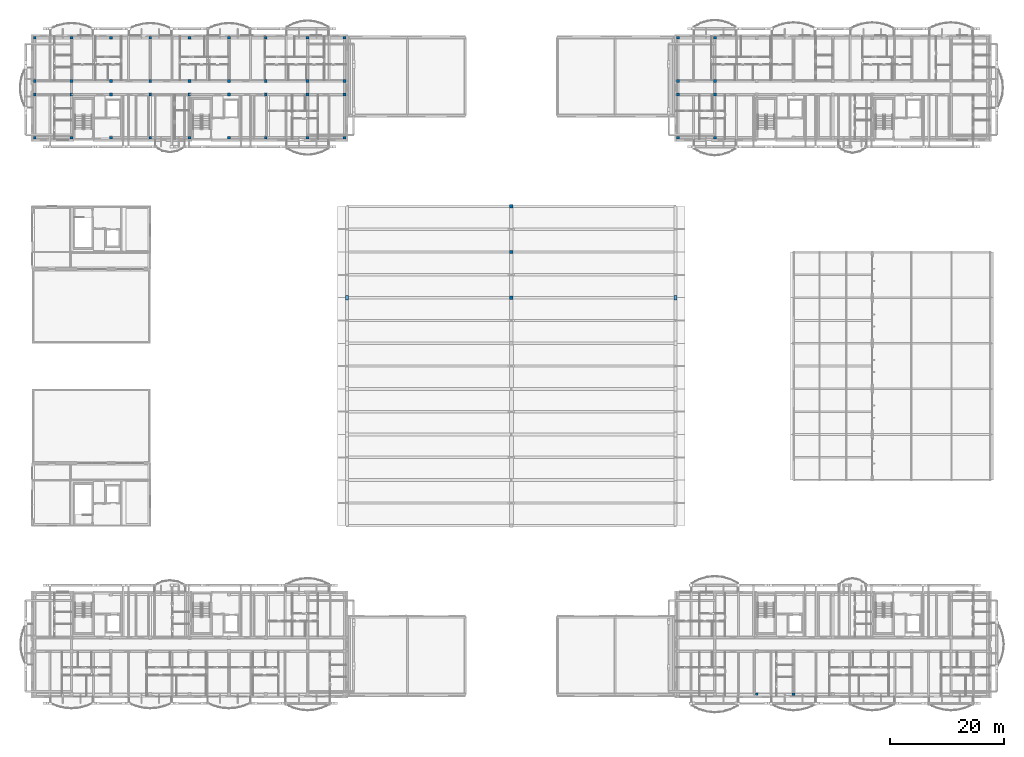
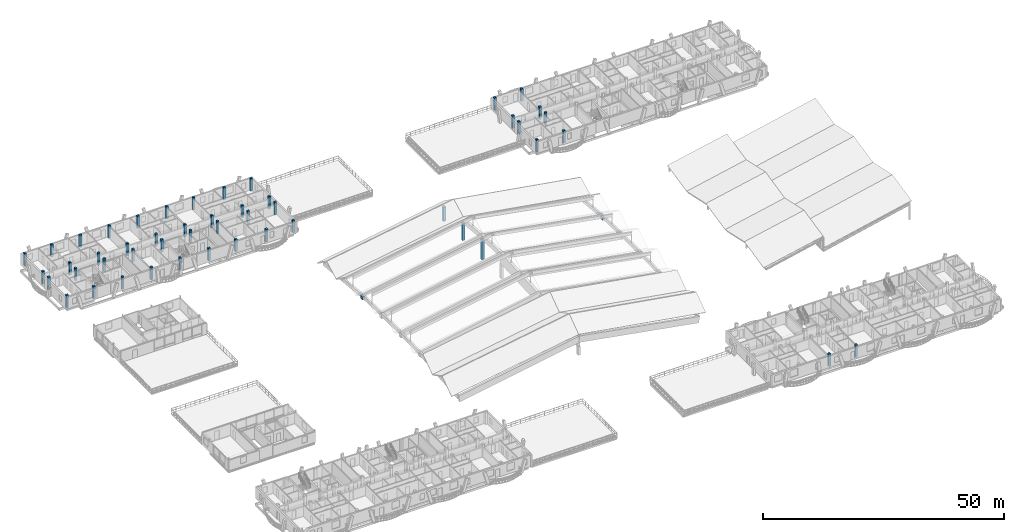
# One storey, part 7 of 109: 51 columns.
"""IFC4 building model written with IfcOpenShell, lengths in metres."""

from ifc_helpers import new_model, si_unit, direction, frame, origin, origin_2d, place, context, subcontext, project, spatial, rectangle, extrude, material, material_profile, profile_set, type_object, element, save


model = new_model("IFC4")

# Units and contexts
model_context = context("Model", 3, precision=1e-05, world=origin(), true_north=direction((0.0, 1.0)))
body_context = subcontext(model_context, "Body", "Model", "MODEL_VIEW")
ifc_project = project(units=[si_unit("LENGTHUNIT", "METRE"), si_unit("AREAUNIT", "SQUARE_METRE"), si_unit("VOLUMEUNIT", "CUBIC_METRE"), si_unit("PLANEANGLEUNIT", "RADIAN"), si_unit("MASSUNIT", "GRAM", prefix="KILO")], contexts=[model_context])

# Site, building, storey
site_placement = place(None, origin())
site = spatial("IfcSite", under=ifc_project, at=site_placement, CompositionType="ELEMENT")
building_placement = place(site_placement, origin())
building = spatial("IfcBuilding", under=site, at=building_placement, Name="Zavelmont Quarter", CompositionType="ELEMENT")
storey_placement = place(building_placement, frame((0.0, 0.0, 8.0)))
storey = spatial("IfcBuildingStorey", under=building, at=storey_placement, Name="L02", CompositionType="ELEMENT", Elevation=8.0)

# Columns
ifc_material = material(Name="Concrete C40/50", Category="concrete")
ifc_material_profile_1 = material_profile(ifc_material, rectangle(XDim=0.60009765625, YDim=0.60009765625, at=origin_2d()), Name="RC600X600")
ifc_profile_set_1 = profile_set([ifc_material_profile_1], Name="Concrete C40/50")
column_type_1 = type_object("IfcColumnType", Name="CL01", PredefinedType="COLUMN", material=ifc_profile_set_1)
column_1_placement = place(storey_placement, frame((84.0, 70.0, 0.0), z_axis=(0.0, 0.0, 1.0), x_axis=(1.0, 0.0, 0.0)))
element("IfcColumn", 1, at=column_1_placement, inside=storey, type_object=column_type_1, Name="L02 column CL01 at 13/L", PredefinedType="COLUMN", context=body_context, shape_type="SweptSolid", body=[
    extrude(rectangle(XDim=0.60009765625, YDim=0.60009765625, at=origin_2d()), origin(), (0.0, 0.0, 1.0), 5.155029296875),
])
column_2_placement = place(storey_placement, frame((84.0, 78.0, 0.0), z_axis=(0.0, 0.0, 1.0), x_axis=(1.0, 0.0, 0.0)))
element("IfcColumn", 2, at=column_2_placement, inside=storey, type_object=column_type_1, Name="L02 column CL01 at 13/M", PredefinedType="COLUMN", context=body_context, shape_type="SweptSolid", body=[
    extrude(rectangle(XDim=0.60009765625, YDim=0.60009765625, at=origin_2d()), origin(), (0.0, 0.0, 1.0), 4.405029296875),
])
column_3_placement = place(storey_placement, frame((84.0, 86.0, 0.0), z_axis=(0.0, 0.0, 1.0), x_axis=(1.0, 0.0, 0.0)))
element("IfcColumn", 3, at=column_3_placement, inside=storey, type_object=column_type_1, Name="L02 column CL01 at 13/N", PredefinedType="COLUMN", context=body_context, shape_type="SweptSolid", body=[
    extrude(rectangle(XDim=0.60009765625, YDim=0.60009765625, at=origin_2d()), origin(), (0.0, 0.0, 1.0), 3.655029296875),
])
ifc_material_profile_2 = material_profile(ifc_material, rectangle(XDim=0.5, YDim=0.5, at=origin_2d()), Name="RC500X500")
ifc_profile_set_2 = profile_set([ifc_material_profile_2], Name="Concrete C40/50")
column_type_2 = type_object("IfcColumnType", Name="CL03", PredefinedType="COLUMN", material=ifc_profile_set_2)
for number, where, z_axis, x_axis, name in (
    (4, (0.43994140625, 98.0400390625, 0.0), (0.0, 0.0, 1.0), (1.0, 0.0, 0.0), "L02 column CL03 at 1/P"),
    (5, (0.43994140625, 105.60009765625, 0.0), (0.0, 0.0, 1.0), (1.0, 0.0, 0.0), "L02 column CL03 at 1/Q"),
    (6, (0.43994140625, 108.0, 0.0), (0.0, 0.0, 1.0), (1.0, 0.0, 0.0), "L02 column CL03 at 1/R"),
    (7, (0.43994140625, 115.56005859375, 0.0), (0.0, 0.0, 1.0), (1.0, 0.0, 0.0), "L02 column CL03 at 1/S"),
    (8, (6.89990234375, 98.0400390625, 0.0), (0.0, 0.0, 1.0), (1.0, 0.0, 0.0), "L02 column CL03 at 2/P"),
    (9, (6.89990234375, 105.60009765625, 0.0), (0.0, 0.0, 1.0), (1.0, 0.0, 0.0), "L02 column CL03 at 2/Q"),
    (10, (6.89990234375, 108.0, 0.0), (0.0, 0.0, 1.0), (1.0, 0.0, 0.0), "L02 column CL03 at 2/R"),
    (11, (6.89990234375, 115.56005859375, 0.0), (0.0, 0.0, 1.0), (1.0, 0.0, 0.0), "L02 column CL03 at 2/S"),
    (12, (13.800048828125, 98.0400390625, 0.0), (0.0, 0.0, 1.0), (1.0, 0.0, 0.0), "L02 column CL03 at 3/P"),
    (13, (13.800048828125, 105.60009765625, 0.0), (0.0, 0.0, 1.0), (1.0, 0.0, 0.0), "L02 column CL03 at 3/Q"),
    (14, (13.800048828125, 108.0, 0.0), (0.0, 0.0, 1.0), (1.0, 0.0, 0.0), "L02 column CL03 at 3/R"),
    (15, (13.800048828125, 115.56005859375, 0.0), (0.0, 0.0, 1.0), (1.0, 0.0, 0.0), "L02 column CL03 at 3/S"),
    (16, (20.699951171875, 98.0400390625, 0.0), (0.0, 0.0, 1.0), (1.0, 0.0, 0.0), "L02 column CL03 at 4/P"),
    (17, (20.699951171875, 105.60009765625, 0.0), (0.0, 0.0, 1.0), (1.0, 0.0, 0.0), "L02 column CL03 at 4/Q"),
    (18, (20.699951171875, 108.0, 0.0), (0.0, 0.0, 1.0), (1.0, 0.0, 0.0), "L02 column CL03 at 4/R"),
    (19, (20.699951171875, 115.56005859375, 0.0), (0.0, 0.0, 1.0), (1.0, 0.0, 0.0), "L02 column CL03 at 4/S"),
    (20, (27.60009765625, 98.0400390625, 0.0), (0.0, 0.0, 1.0), (1.0, 0.0, 0.0), "L02 column CL03 at 5/P"),
    (21, (27.60009765625, 105.60009765625, 0.0), (0.0, 0.0, 1.0), (1.0, 0.0, 0.0), "L02 column CL03 at 5/Q"),
    (22, (27.60009765625, 108.0, 0.0), (0.0, 0.0, 1.0), (1.0, 0.0, 0.0), "L02 column CL03 at 5/R"),
    (23, (27.60009765625, 115.56005859375, 0.0), (0.0, 0.0, 1.0), (1.0, 0.0, 0.0), "L02 column CL03 at 5/S"),
    (24, (34.5, 98.0400390625, 0.0), (0.0, 0.0, 1.0), (1.0, 0.0, 0.0), "L02 column CL03 at 6/P"),
    (25, (34.5, 105.60009765625, 0.0), (0.0, 0.0, 1.0), (1.0, 0.0, 0.0), "L02 column CL03 at 6/Q"),
    (26, (34.5, 108.0, 0.0), (0.0, 0.0, 1.0), (1.0, 0.0, 0.0), "L02 column CL03 at 6/R"),
    (27, (34.5, 115.56005859375, 0.0), (0.0, 0.0, 1.0), (1.0, 0.0, 0.0), "L02 column CL03 at 6/S"),
    (28, (40.9599609375, 98.0400390625, 0.0), (0.0, 0.0, 1.0), (1.0, 0.0, 0.0), "L02 column CL03 at 7/P"),
    (29, (40.9599609375, 105.60009765625, 0.0), (0.0, 0.0, 1.0), (1.0, 0.0, 0.0), "L02 column CL03 at 7/Q"),
    (30, (40.9599609375, 108.0, 0.0), (0.0, 0.0, 1.0), (1.0, 0.0, 0.0), "L02 column CL03 at 7/R"),
    (31, (40.9599609375, 115.56005859375, 0.0), (0.0, 0.0, 1.0), (1.0, 0.0, 0.0), "L02 column CL03 at 7/S"),
    (32, (48.300048828125, 98.0400390625, 0.0), (0.0, 0.0, 1.0), (1.0, 0.0, 0.0), "L02 column CL03 at 8/P"),
    (33, (48.300048828125, 105.60009765625, 0.0), (0.0, 0.0, 1.0), (1.0, 0.0, 0.0), "L02 column CL03 at 8/Q"),
    (34, (48.300048828125, 108.0, 0.0), (0.0, 0.0, 1.0), (1.0, 0.0, 0.0), "L02 column CL03 at 8/R"),
    (35, (48.300048828125, 115.56005859375, 0.0), (0.0, 0.0, 1.0), (1.0, 0.0, 0.0), "L02 column CL03 at 8/S"),
    (36, (54.760009765625, 98.0400390625, 0.0), (0.0, 0.0, 1.0), (1.0, 0.0, 0.0), "L02 column CL03 at 9/P"),
    (37, (54.760009765625, 105.60009765625, 0.0), (0.0, 0.0, 1.0), (1.0, 0.0, 0.0), "L02 column CL03 at 9/Q"),
    (38, (54.760009765625, 108.0, 0.0), (0.0, 0.0, 1.0), (1.0, 0.0, 0.0), "L02 column CL03 at 9/R"),
    (39, (54.760009765625, 115.56005859375, 0.0), (0.0, 0.0, 1.0), (1.0, 0.0, 0.0), "L02 column CL03 at 9/S"),
    (40, (113.239990234375, 98.0400390625, 0.0), (0.0, 0.0, 1.0), (1.0, 0.0, 0.0), "L02 column CL03 at 17/P"),
    (41, (113.239990234375, 105.60009765625, 0.0), (0.0, 0.0, 1.0), (1.0, 0.0, 0.0), "L02 column CL03 at 17/Q"),
    (42, (113.239990234375, 108.0, 0.0), (0.0, 0.0, 1.0), (1.0, 0.0, 0.0), "L02 column CL03 at 17/R"),
    (43, (113.239990234375, 115.56005859375, 0.0), (0.0, 0.0, 1.0), (1.0, 0.0, 0.0), "L02 column CL03 at 17/S"),
    (44, (119.699951171875, 98.0400390625, 0.0), (0.0, 0.0, 1.0), (1.0, 0.0, 0.0), "L02 column CL03 at 18/P"),
    (45, (119.699951171875, 105.60009765625, 0.0), (0.0, 0.0, 1.0), (1.0, 0.0, 0.0), "L02 column CL03 at 18/Q"),
    (46, (119.699951171875, 108.0, 0.0), (0.0, 0.0, 1.0), (1.0, 0.0, 0.0), "L02 column CL03 at 18/R"),
    (47, (119.699951171875, 115.56005859375, 0.0), (0.0, 0.0, 1.0), (1.0, 0.0, 0.0), "L02 column CL03 at 18/S"),
    (48, (127.0400390625, 0.43994140625, 0.0), (0.0, 0.0, 1.0), (1.0, 0.0, 0.0), "L02 column CL03 at 19/A"),
    (49, (133.5, 0.43994140625, 0.0), (0.0, 0.0, 1.0), (1.0, 0.0, 0.0), "L02 column CL03 at 20/A"),
):
    element("IfcColumn", number, at=place(storey_placement, frame(where, z_axis=z_axis, x_axis=x_axis)), inside=storey, type_object=column_type_2, Name=name, PredefinedType="COLUMN", context=body_context, shape_type="SweptSolid", body=[
        extrude(rectangle(XDim=0.5, YDim=0.5, at=origin_2d()), origin(), (0.0, 0.0, 1.0), 3.199951171875),
    ])
ifc_material_profile_3 = material_profile(ifc_material, rectangle(XDim=0.5, YDim=0.800048828125, at=origin_2d()), Name="RC500X800")
ifc_profile_set_3 = profile_set([ifc_material_profile_3], Name="Concrete C40/50")
column_type_3 = type_object("IfcColumnType", Name="CL07", PredefinedType="COLUMN", material=ifc_profile_set_3)
for number, where, z_axis, x_axis, name in (
    (50, (55.199951171875, 70.0, 0.0), (0.0, 0.0, 1.0), (1.0, 0.0, 0.0), "L02 column CL07 at 9/L"),
    (51, (112.800048828125, 70.0, 0.0), (0.0, 0.0, 1.0), (1.0, 0.0, 0.0), "L02 column CL07 at 17/L"),
):
    element("IfcColumn", number, at=place(storey_placement, frame(where, z_axis=z_axis, x_axis=x_axis)), inside=storey, type_object=column_type_3, Name=name, PredefinedType="COLUMN", context=body_context, shape_type="SweptSolid", body=[
        extrude(rectangle(XDim=0.5, YDim=0.800048828125, at=origin_2d()), origin(), (0.0, 0.0, 1.0), 0.7548828125),
    ])

save(model, "model.ifc")
